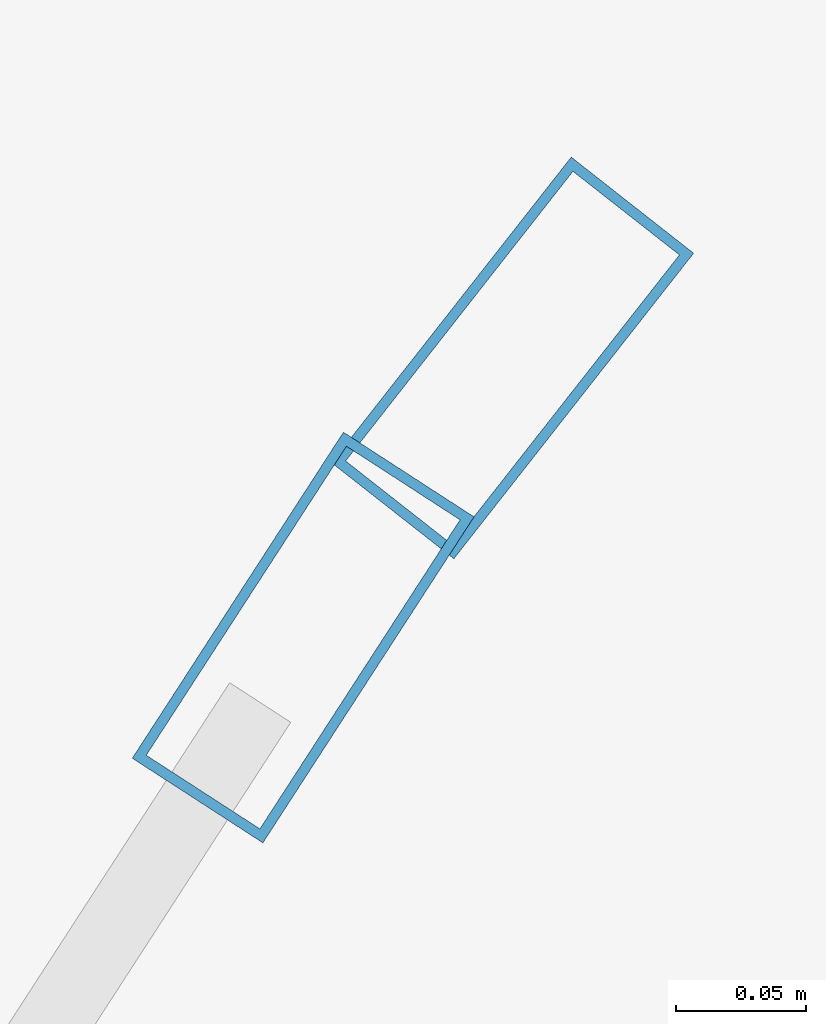
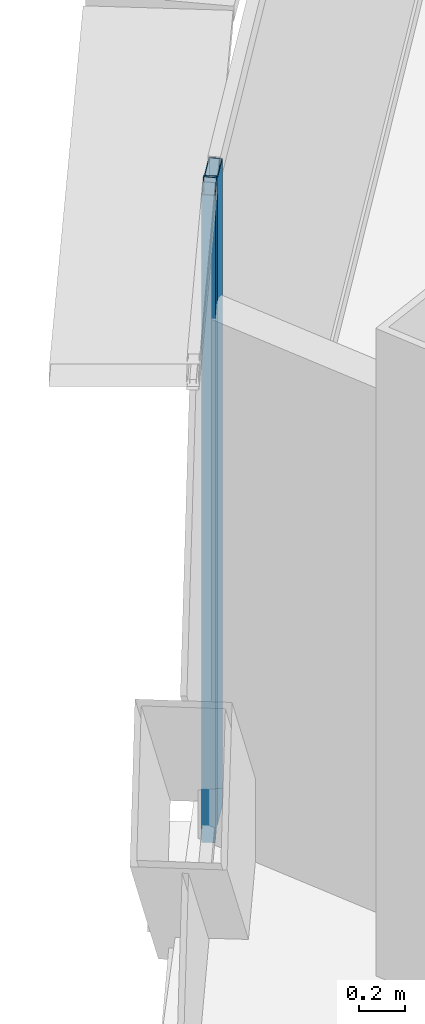
# One storey, part 18 of 39: 2 members, 2 elements without a shape of their own.
"""IFC4 building model written with IfcOpenShell, lengths in metres."""

from ifc_helpers import new_model, si_unit, direction, frame, origin, origin_2d, place, context, subcontext, project, spatial, hollow_rectangle, extrude, source, transform, mapped, material, layer, layer_set, material_profile, profile_set, type_object, element, aggregate, save


model = new_model("IFC4")

# Units and contexts
model_context = context("Model", 3, precision=1e-05, world=origin(), true_north=direction((0.0, 1.0)))
body_context = subcontext(model_context, "Body", "Model", "MODEL_VIEW")
ifc_project = project(units=[si_unit("LENGTHUNIT", "METRE"), si_unit("AREAUNIT", "SQUARE_METRE"), si_unit("VOLUMEUNIT", "CUBIC_METRE"), si_unit("PLANEANGLEUNIT", "RADIAN"), si_unit("MASSUNIT", "GRAM", prefix="KILO"), si_unit("THERMODYNAMICTEMPERATUREUNIT", "KELVIN"), si_unit("POWERUNIT", "WATT")], contexts=[model_context])

# Site, building, storey
site_placement = place(None, origin())
site = spatial("IfcSite", under=ifc_project, at=site_placement, CompositionType="ELEMENT")
building_placement = place(site_placement, origin())
building = spatial("IfcBuilding", under=site, at=building_placement, Name="Yunzhuo Pagoda Commons", CompositionType="ELEMENT")
storey_placement = place(building_placement, frame((0.0, 0.0, 144.550048828125)))
storey = spatial("IfcBuildingStorey", under=building, at=storey_placement, Name="L36", CompositionType="ELEMENT", Elevation=144.550048828125)

# Curtain wall, member
ifc_material = material(Name="Anodized aluminium 6063-T6", Category="aluminium")
ifc_layer = layer(ifc_material, 0.14990234375)
ifc_layer_set = layer_set([ifc_layer], Name="Anodized aluminium 6063-T6")
curtain_wall_type = type_object("IfcCurtainWallType", Name="CW-MID Mid-Zone Ribbon Curtain Wall", PredefinedType="NOTDEFINED", material=ifc_layer_set)
curtain_wall_1_placement = place(storey_placement, origin())
curtain_wall_1 = element("IfcCurtainWall", 1, at=curtain_wall_1_placement, inside=storey, type_object=curtain_wall_type, Name="L36 curtain wall CW-L36-F3B2", PredefinedType="NOTDEFINED")
ifc_material_profile = material_profile(ifc_material, hollow_rectangle(XDim=0.06005859375, YDim=0.14990234375, WallThickness=0.00390625, at=origin_2d()), Name="Anodized aluminium 6063-T6")
ifc_profile_set = profile_set([ifc_material_profile], Name="Anodized aluminium 6063-T6")
member_type = type_object("IfcMemberType", Name="CW-MID-M Mullion RHS 150x60x4", PredefinedType="MULLION", material=ifc_profile_set)
shared_shape = source(origin(), body_context, "Body", "SweptSolid", [
    extrude(hollow_rectangle(XDim=0.06005859375, YDim=0.14990234375, WallThickness=0.00390625, at=origin_2d()), origin(), (0.0, 0.0, 1.0), 3.419921875),
])
member_1_placement = place(storey_placement, frame((31.883056640625, 69.837890625, 0.0), z_axis=(0.0, 0.0, 1.0), x_axis=(0.839320281383, -0.543637255216, 0.0)))
member_1 = element("IfcMember", 2, at=member_1_placement, type_object=member_type, Name="CW mullion 1", PredefinedType="MULLION", context=body_context, shape_type="MappedRepresentation", body=[
    mapped(shared_shape, transform((0.0, 0.0, 0.0), scale=1.0)),
])
aggregate(curtain_wall_1, [member_1])

curtain_wall_2_placement = place(storey_placement, origin())
curtain_wall_2 = element("IfcCurtainWall", 3, at=curtain_wall_2_placement, inside=storey, type_object=curtain_wall_type, Name="L36 curtain wall CW-L36-F3B1", PredefinedType="NOTDEFINED")
member_2_placement = place(storey_placement, frame((31.9638671875, 69.94580078125, 0.0), z_axis=(0.0, 0.0, 1.0), x_axis=(0.786664694453, -0.617380481147, 0.0)))
member_2 = element("IfcMember", 4, at=member_2_placement, type_object=member_type, Name="CW mullion 2", PredefinedType="MULLION", context=body_context, shape_type="MappedRepresentation", body=[
    mapped(shared_shape, transform((0.0, 0.0, 0.0), scale=1.0)),
])
aggregate(curtain_wall_2, [member_2])

save(model, "model.ifc")
